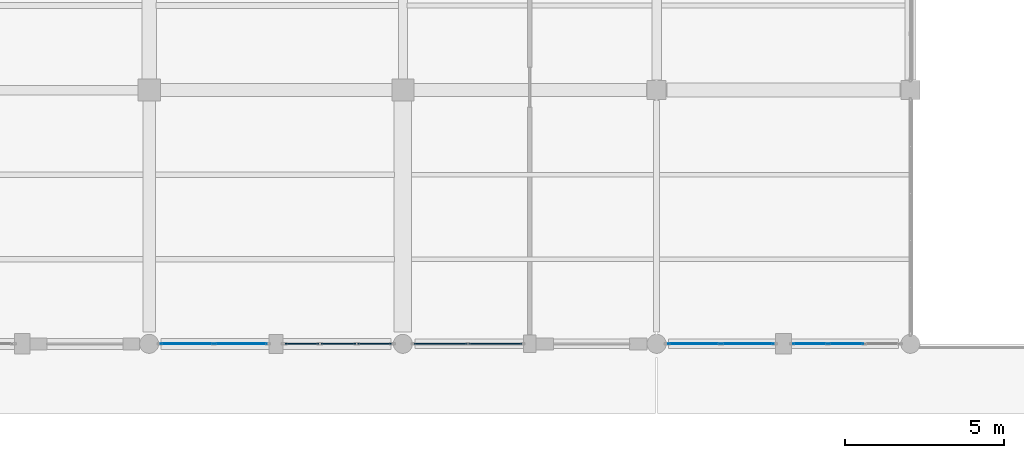
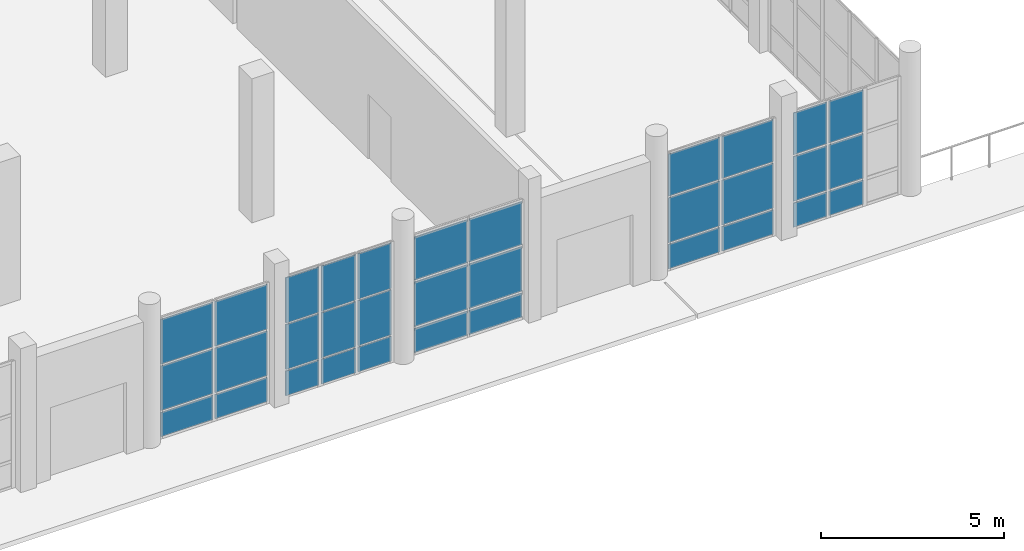
# One storey, part 104 of 156: 33 plates, 5 elements without a shape of their own.
"""IFC4 building model written with IfcOpenShell, lengths in metres."""

from ifc_helpers import new_model, si_unit, direction, frame, origin, origin_2d, place, context, subcontext, project, spatial, rectangle, extrude, material, layer, layer_set, type_object, element, aggregate, save


model = new_model("IFC4")

# Units and contexts
model_context = context("Model", 3, precision=1e-05, world=origin(), true_north=direction((0.0, 1.0)))
body_context = subcontext(model_context, "Body", "Model", "MODEL_VIEW")
ifc_project = project(units=[si_unit("LENGTHUNIT", "METRE"), si_unit("AREAUNIT", "SQUARE_METRE"), si_unit("VOLUMEUNIT", "CUBIC_METRE"), si_unit("PLANEANGLEUNIT", "RADIAN"), si_unit("MASSUNIT", "GRAM", prefix="KILO")], contexts=[model_context])

# Site, building, storey
site_placement = place(None, origin())
site = spatial("IfcSite", under=ifc_project, at=site_placement, CompositionType="ELEMENT")
building_placement = place(site_placement, origin())
building = spatial("IfcBuilding", under=site, at=building_placement, Name="Luwemba Playhouse", CompositionType="ELEMENT")
storey_placement = place(building_placement, origin())
storey = spatial("IfcBuildingStorey", under=building, at=storey_placement, Name="L00", CompositionType="ELEMENT", Elevation=0.0)

# Curtain wall, plates
ifc_material = material(Name="Solar-control double glazing", Category="glass")
curtain_wall_type_1 = type_object("IfcCurtainWallType", Name="CW-CW39", PredefinedType="USERDEFINED", material=ifc_material)
curtain_wall_1_placement = place(storey_placement, origin())
curtain_wall_1 = element("IfcCurtainWall", 1, at=curtain_wall_1_placement, inside=storey, type_object=curtain_wall_type_1, Name="L00 V5W unitised curtain wall 043", ObjectType="UNITISED GLAZING", PredefinedType="USERDEFINED")
ifc_layer_1 = layer(ifc_material, 0.02392578125)
ifc_layer_set_1 = layer_set([ifc_layer_1], Name="Solar-control double glazing")
plate_type_1 = type_object("IfcPlateType", Name="CWP-P1", PredefinedType="CURTAIN_PANEL", material=ifc_layer_set_1)
plate_1_placement = place(storey_placement, frame((57.97509765625, 3.0, 0.06005859375), z_axis=(0.0, 0.0, 1.0), x_axis=(-1.0, 0.0, 0.0)))
plate_1 = element("IfcPlate", 2, at=plate_1_placement, type_object=plate_type_1, Name="CW39 panel 2.1", PredefinedType="CURTAIN_PANEL", context=body_context, shape_type="SweptSolid", body=[
    extrude(rectangle(XDim=1.090087890625, YDim=0.02392578125, at=origin_2d()), origin(), (0.0, 0.0, 1.0), 0.81005859375),
])
plate_2_placement = place(storey_placement, frame((57.97509765625, 3.0, 0.93017578125), z_axis=(0.0, 0.0, 1.0), x_axis=(-1.0, 0.0, 0.0)))
plate_2 = element("IfcPlate", 3, at=plate_2_placement, type_object=plate_type_1, Name="CW39 panel 2.2", PredefinedType="CURTAIN_PANEL", context=body_context, shape_type="SweptSolid", body=[
    extrude(rectangle(XDim=1.090087890625, YDim=0.02392578125, at=origin_2d()), origin(), (0.0, 0.0, 1.0), 1.489990234375),
])
plate_3_placement = place(storey_placement, frame((57.97509765625, 3.0, 2.47998046875), z_axis=(0.0, 0.0, 1.0), x_axis=(-1.0, 0.0, 0.0)))
plate_3 = element("IfcPlate", 4, at=plate_3_placement, type_object=plate_type_1, Name="CW39 panel 2.3", PredefinedType="CURTAIN_PANEL", context=body_context, shape_type="SweptSolid", body=[
    extrude(rectangle(XDim=1.090087890625, YDim=0.02392578125, at=origin_2d()), origin(), (0.0, 0.0, 1.0), 1.39501953125),
])
plate_4_placement = place(storey_placement, frame((56.840087890625, 3.0, 0.06005859375), z_axis=(0.0, 0.0, 1.0), x_axis=(-1.0, 0.0, 0.0)))
plate_4 = element("IfcPlate", 5, at=plate_4_placement, type_object=plate_type_1, Name="CW39 panel 3.1", PredefinedType="CURTAIN_PANEL", context=body_context, shape_type="SweptSolid", body=[
    extrude(rectangle(XDim=1.06005859375, YDim=0.02392578125, at=origin_2d()), origin(), (0.0, 0.0, 1.0), 0.81005859375),
])
plate_5_placement = place(storey_placement, frame((56.840087890625, 3.0, 0.93017578125), z_axis=(0.0, 0.0, 1.0), x_axis=(-1.0, 0.0, 0.0)))
plate_5 = element("IfcPlate", 6, at=plate_5_placement, type_object=plate_type_1, Name="CW39 panel 3.2", PredefinedType="CURTAIN_PANEL", context=body_context, shape_type="SweptSolid", body=[
    extrude(rectangle(XDim=1.06005859375, YDim=0.02392578125, at=origin_2d()), origin(), (0.0, 0.0, 1.0), 1.489990234375),
])
plate_6_placement = place(storey_placement, frame((56.840087890625, 3.0, 2.47998046875), z_axis=(0.0, 0.0, 1.0), x_axis=(-1.0, 0.0, 0.0)))
plate_6 = element("IfcPlate", 7, at=plate_6_placement, type_object=plate_type_1, Name="CW39 panel 3.3", PredefinedType="CURTAIN_PANEL", context=body_context, shape_type="SweptSolid", body=[
    extrude(rectangle(XDim=1.06005859375, YDim=0.02392578125, at=origin_2d()), origin(), (0.0, 0.0, 1.0), 1.39501953125),
])
aggregate(curtain_wall_1, [plate_1, plate_2, plate_3, plate_4, plate_5, plate_6])

curtain_wall_type_2 = type_object("IfcCurtainWallType", Name="CW-CW41", PredefinedType="USERDEFINED", material=ifc_material)
curtain_wall_2_placement = place(storey_placement, origin())
curtain_wall_2 = element("IfcCurtainWall", 8, at=curtain_wall_2_placement, inside=storey, type_object=curtain_wall_type_2, Name="L00 V5W unitised curtain wall 047", ObjectType="UNITISED GLAZING", PredefinedType="USERDEFINED")
plate_7_placement = place(storey_placement, frame((38.891357421875, 3.0, 0.06005859375), z_axis=(0.0, 0.0, 1.0), x_axis=(-1.0, 0.0, 0.0)))
plate_7 = element("IfcPlate", 9, at=plate_7_placement, type_object=plate_type_1, Name="CW41 panel 1.1", PredefinedType="CURTAIN_PANEL", context=body_context, shape_type="SweptSolid", body=[
    extrude(rectangle(XDim=1.6474609375, YDim=0.02392578125, at=origin_2d()), origin(), (0.0, 0.0, 1.0), 0.81005859375),
])
plate_8_placement = place(storey_placement, frame((38.891357421875, 3.0, 0.93017578125), z_axis=(0.0, 0.0, 1.0), x_axis=(-1.0, 0.0, 0.0)))
plate_8 = element("IfcPlate", 10, at=plate_8_placement, type_object=plate_type_1, Name="CW41 panel 1.2", PredefinedType="CURTAIN_PANEL", context=body_context, shape_type="SweptSolid", body=[
    extrude(rectangle(XDim=1.6474609375, YDim=0.02392578125, at=origin_2d()), origin(), (0.0, 0.0, 1.0), 1.489990234375),
])
plate_9_placement = place(storey_placement, frame((38.891357421875, 3.0, 2.47998046875), z_axis=(0.0, 0.0, 1.0), x_axis=(-1.0, 0.0, 0.0)))
plate_9 = element("IfcPlate", 11, at=plate_9_placement, type_object=plate_type_1, Name="CW41 panel 1.3", PredefinedType="CURTAIN_PANEL", context=body_context, shape_type="SweptSolid", body=[
    extrude(rectangle(XDim=1.6474609375, YDim=0.02392578125, at=origin_2d()), origin(), (0.0, 0.0, 1.0), 1.4951171875),
])
plate_10_placement = place(storey_placement, frame((37.183837890625, 3.0, 0.06005859375), z_axis=(0.0, 0.0, 1.0), x_axis=(-1.0, 0.0, 0.0)))
plate_10 = element("IfcPlate", 12, at=plate_10_placement, type_object=plate_type_1, Name="CW41 panel 2.1", PredefinedType="CURTAIN_PANEL", context=body_context, shape_type="SweptSolid", body=[
    extrude(rectangle(XDim=1.6474609375, YDim=0.02392578125, at=origin_2d()), origin(), (0.0, 0.0, 1.0), 0.81005859375),
])
plate_11_placement = place(storey_placement, frame((37.183837890625, 3.0, 0.93017578125), z_axis=(0.0, 0.0, 1.0), x_axis=(-1.0, 0.0, 0.0)))
plate_11 = element("IfcPlate", 13, at=plate_11_placement, type_object=plate_type_1, Name="CW41 panel 2.2", PredefinedType="CURTAIN_PANEL", context=body_context, shape_type="SweptSolid", body=[
    extrude(rectangle(XDim=1.6474609375, YDim=0.02392578125, at=origin_2d()), origin(), (0.0, 0.0, 1.0), 1.489990234375),
])
plate_12_placement = place(storey_placement, frame((37.183837890625, 3.0, 2.47998046875), z_axis=(0.0, 0.0, 1.0), x_axis=(-1.0, 0.0, 0.0)))
plate_12 = element("IfcPlate", 14, at=plate_12_placement, type_object=plate_type_1, Name="CW41 panel 2.3", PredefinedType="CURTAIN_PANEL", context=body_context, shape_type="SweptSolid", body=[
    extrude(rectangle(XDim=1.6474609375, YDim=0.02392578125, at=origin_2d()), origin(), (0.0, 0.0, 1.0), 1.4951171875),
])
aggregate(curtain_wall_2, [plate_7, plate_8, plate_9, plate_10, plate_11, plate_12])

curtain_wall_type_3 = type_object("IfcCurtainWallType", Name="CW-CW33", PredefinedType="USERDEFINED", material=ifc_material)
curtain_wall_3_placement = place(storey_placement, origin())
curtain_wall_3 = element("IfcCurtainWall", 15, at=curtain_wall_3_placement, inside=storey, type_object=curtain_wall_type_3, Name="L00 V5W unitised curtain wall 044", ObjectType="UNITISED GLAZING", PredefinedType="USERDEFINED")
ifc_layer_2 = layer(ifc_material, 0.028076171875)
ifc_layer_set_2 = layer_set([ifc_layer_2], Name="Solar-control double glazing")
plate_type_2 = type_object("IfcPlateType", Name="CWP-P2", PredefinedType="CURTAIN_PANEL", material=ifc_layer_set_2)
plate_13_placement = place(storey_placement, frame((54.871337890625, 3.0, 0.05517578125), z_axis=(0.0, 0.0, 1.0), x_axis=(-1.0, 0.0, 0.0)))
plate_13 = element("IfcPlate", 16, at=plate_13_placement, type_object=plate_type_2, Name="CW33 panel 1.1", PredefinedType="CURTAIN_PANEL", context=body_context, shape_type="SweptSolid", body=[
    extrude(rectangle(XDim=1.62744140625, YDim=0.028076171875, at=origin_2d()), origin(), (0.0, 0.0, 1.0), 0.8173828125),
])
plate_14_placement = place(storey_placement, frame((54.871337890625, 3.0, 0.927490234375), z_axis=(0.0, 0.0, 1.0), x_axis=(-1.0, 0.0, 0.0)))
plate_14 = element("IfcPlate", 17, at=plate_14_placement, type_object=plate_type_2, Name="CW33 panel 1.2", PredefinedType="CURTAIN_PANEL", context=body_context, shape_type="SweptSolid", body=[
    extrude(rectangle(XDim=1.62744140625, YDim=0.028076171875, at=origin_2d()), origin(), (0.0, 0.0, 1.0), 1.4951171875),
])
plate_15_placement = place(storey_placement, frame((54.871337890625, 3.0, 2.4775390625), z_axis=(0.0, 0.0, 1.0), x_axis=(-1.0, 0.0, 0.0)))
plate_15 = element("IfcPlate", 18, at=plate_15_placement, type_object=plate_type_2, Name="CW33 panel 1.3", PredefinedType="CURTAIN_PANEL", context=body_context, shape_type="SweptSolid", body=[
    extrude(rectangle(XDim=1.62744140625, YDim=0.028076171875, at=origin_2d()), origin(), (0.0, 0.0, 1.0), 1.402587890625),
])
plate_16_placement = place(storey_placement, frame((53.1787109375, 3.0, 0.05517578125), z_axis=(0.0, 0.0, 1.0), x_axis=(-1.0, 0.0, 0.0)))
plate_16 = element("IfcPlate", 19, at=plate_16_placement, type_object=plate_type_2, Name="CW33 panel 2.1", PredefinedType="CURTAIN_PANEL", context=body_context, shape_type="SweptSolid", body=[
    extrude(rectangle(XDim=1.62744140625, YDim=0.028076171875, at=origin_2d()), origin(), (0.0, 0.0, 1.0), 0.8173828125),
])
plate_17_placement = place(storey_placement, frame((53.1787109375, 3.0, 0.927490234375), z_axis=(0.0, 0.0, 1.0), x_axis=(-1.0, 0.0, 0.0)))
plate_17 = element("IfcPlate", 20, at=plate_17_placement, type_object=plate_type_2, Name="CW33 panel 2.2", PredefinedType="CURTAIN_PANEL", context=body_context, shape_type="SweptSolid", body=[
    extrude(rectangle(XDim=1.62744140625, YDim=0.028076171875, at=origin_2d()), origin(), (0.0, 0.0, 1.0), 1.4951171875),
])
plate_18_placement = place(storey_placement, frame((53.1787109375, 3.0, 2.4775390625), z_axis=(0.0, 0.0, 1.0), x_axis=(-1.0, 0.0, 0.0)))
plate_18 = element("IfcPlate", 21, at=plate_18_placement, type_object=plate_type_2, Name="CW33 panel 2.3", PredefinedType="CURTAIN_PANEL", context=body_context, shape_type="SweptSolid", body=[
    extrude(rectangle(XDim=1.62744140625, YDim=0.028076171875, at=origin_2d()), origin(), (0.0, 0.0, 1.0), 1.402587890625),
])
aggregate(curtain_wall_3, [plate_13, plate_14, plate_15, plate_16, plate_17, plate_18])

curtain_wall_type_4 = type_object("IfcCurtainWallType", Name="CW-CW40", PredefinedType="USERDEFINED", material=ifc_material)
curtain_wall_4_placement = place(storey_placement, origin())
curtain_wall_4 = element("IfcCurtainWall", 22, at=curtain_wall_4_placement, inside=storey, type_object=curtain_wall_type_4, Name="L00 V5W unitised curtain wall 045", ObjectType="UNITISED GLAZING", PredefinedType="USERDEFINED")
ifc_layer_3 = layer(ifc_material, 0.031982421875)
ifc_layer_set_3 = layer_set([ifc_layer_3], Name="Solar-control double glazing")
plate_type_3 = type_object("IfcPlateType", Name="CWP-P3", PredefinedType="CURTAIN_PANEL", material=ifc_layer_set_3)
plate_19_placement = place(storey_placement, frame((46.9111328125, 3.0, 0.06494140625), z_axis=(0.0, 0.0, 1.0), x_axis=(-1.0, 0.0, 0.0)))
plate_19 = element("IfcPlate", 23, at=plate_19_placement, type_object=plate_type_3, Name="CW40 panel 1.1", PredefinedType="CURTAIN_PANEL", context=body_context, shape_type="SweptSolid", body=[
    extrude(rectangle(XDim=1.66748046875, YDim=0.031982421875, at=origin_2d()), origin(), (0.0, 0.0, 1.0), 0.802490234375),
])
plate_20_placement = place(storey_placement, frame((46.9111328125, 3.0, 0.9326171875), z_axis=(0.0, 0.0, 1.0), x_axis=(-1.0, 0.0, 0.0)))
plate_20 = element("IfcPlate", 24, at=plate_20_placement, type_object=plate_type_3, Name="CW40 panel 1.2", PredefinedType="CURTAIN_PANEL", context=body_context, shape_type="SweptSolid", body=[
    extrude(rectangle(XDim=1.66748046875, YDim=0.031982421875, at=origin_2d()), origin(), (0.0, 0.0, 1.0), 1.485107421875),
])
plate_21_placement = place(storey_placement, frame((46.9111328125, 3.0, 2.482421875), z_axis=(0.0, 0.0, 1.0), x_axis=(-1.0, 0.0, 0.0)))
plate_21 = element("IfcPlate", 25, at=plate_21_placement, type_object=plate_type_3, Name="CW40 panel 1.3", PredefinedType="CURTAIN_PANEL", context=body_context, shape_type="SweptSolid", body=[
    extrude(rectangle(XDim=1.66748046875, YDim=0.031982421875, at=origin_2d()), origin(), (0.0, 0.0, 1.0), 1.4375),
])
plate_22_placement = place(storey_placement, frame((45.188720703125, 3.0, 0.06494140625), z_axis=(0.0, 0.0, 1.0), x_axis=(-1.0, 0.0, 0.0)))
plate_22 = element("IfcPlate", 26, at=plate_22_placement, type_object=plate_type_3, Name="CW40 panel 2.1", PredefinedType="CURTAIN_PANEL", context=body_context, shape_type="SweptSolid", body=[
    extrude(rectangle(XDim=1.66748046875, YDim=0.031982421875, at=origin_2d()), origin(), (0.0, 0.0, 1.0), 0.802490234375),
])
plate_23_placement = place(storey_placement, frame((45.188720703125, 3.0, 0.9326171875), z_axis=(0.0, 0.0, 1.0), x_axis=(-1.0, 0.0, 0.0)))
plate_23 = element("IfcPlate", 27, at=plate_23_placement, type_object=plate_type_3, Name="CW40 panel 2.2", PredefinedType="CURTAIN_PANEL", context=body_context, shape_type="SweptSolid", body=[
    extrude(rectangle(XDim=1.66748046875, YDim=0.031982421875, at=origin_2d()), origin(), (0.0, 0.0, 1.0), 1.485107421875),
])
plate_24_placement = place(storey_placement, frame((45.188720703125, 3.0, 2.482421875), z_axis=(0.0, 0.0, 1.0), x_axis=(-1.0, 0.0, 0.0)))
plate_24 = element("IfcPlate", 28, at=plate_24_placement, type_object=plate_type_3, Name="CW40 panel 2.3", PredefinedType="CURTAIN_PANEL", context=body_context, shape_type="SweptSolid", body=[
    extrude(rectangle(XDim=1.66748046875, YDim=0.031982421875, at=origin_2d()), origin(), (0.0, 0.0, 1.0), 1.4375),
])
aggregate(curtain_wall_4, [plate_19, plate_20, plate_21, plate_22, plate_23, plate_24])

curtain_wall_type_5 = type_object("IfcCurtainWallType", Name="CW-CW14", PredefinedType="USERDEFINED", material=ifc_material)
curtain_wall_5_placement = place(storey_placement, origin())
curtain_wall_5 = element("IfcCurtainWall", 29, at=curtain_wall_5_placement, inside=storey, type_object=curtain_wall_type_5, Name="L00 V5W unitised curtain wall 046", ObjectType="UNITISED GLAZING", PredefinedType="USERDEFINED")
ifc_layer_4 = layer(ifc_material, 0.035888671875)
ifc_layer_set_4 = layer_set([ifc_layer_4], Name="Solar-control double glazing")
plate_type_4 = type_object("IfcPlateType", Name="CWP-P4", PredefinedType="CURTAIN_PANEL", material=ifc_layer_set_4)
plate_25_placement = place(storey_placement, frame((43.103271484375, 3.0, 0.0498046875), z_axis=(0.0, 0.0, 1.0), x_axis=(-1.0, 0.0, 0.0)))
plate_25 = element("IfcPlate", 30, at=plate_25_placement, type_object=plate_type_4, Name="CW14 panel 1.1", PredefinedType="CURTAIN_PANEL", context=body_context, shape_type="SweptSolid", body=[
    extrude(rectangle(XDim=1.05322265625, YDim=0.035888671875, at=origin_2d()), origin(), (0.0, 0.0, 1.0), 0.824951171875),
])
plate_26_placement = place(storey_placement, frame((43.103271484375, 3.0, 0.925048828125), z_axis=(0.0, 0.0, 1.0), x_axis=(-1.0, 0.0, 0.0)))
plate_26 = element("IfcPlate", 31, at=plate_26_placement, type_object=plate_type_4, Name="CW14 panel 1.2", PredefinedType="CURTAIN_PANEL", context=body_context, shape_type="SweptSolid", body=[
    extrude(rectangle(XDim=1.05322265625, YDim=0.035888671875, at=origin_2d()), origin(), (0.0, 0.0, 1.0), 1.5),
])
plate_27_placement = place(storey_placement, frame((43.103271484375, 3.0, 2.47509765625), z_axis=(0.0, 0.0, 1.0), x_axis=(-1.0, 0.0, 0.0)))
plate_27 = element("IfcPlate", 32, at=plate_27_placement, type_object=plate_type_4, Name="CW14 panel 1.3", PredefinedType="CURTAIN_PANEL", context=body_context, shape_type="SweptSolid", body=[
    extrude(rectangle(XDim=1.05322265625, YDim=0.035888671875, at=origin_2d()), origin(), (0.0, 0.0, 1.0), 1.510009765625),
])
plate_28_placement = place(storey_placement, frame((41.96240234375, 3.0, 0.0498046875), z_axis=(0.0, 0.0, 1.0), x_axis=(-1.0, 0.0, 0.0)))
plate_28 = element("IfcPlate", 33, at=plate_28_placement, type_object=plate_type_4, Name="CW14 panel 2.1", PredefinedType="CURTAIN_PANEL", context=body_context, shape_type="SweptSolid", body=[
    extrude(rectangle(XDim=1.08837890625, YDim=0.035888671875, at=origin_2d()), origin(), (0.0, 0.0, 1.0), 0.824951171875),
])
plate_29_placement = place(storey_placement, frame((41.96240234375, 3.0, 0.925048828125), z_axis=(0.0, 0.0, 1.0), x_axis=(-1.0, 0.0, 0.0)))
plate_29 = element("IfcPlate", 34, at=plate_29_placement, type_object=plate_type_4, Name="CW14 panel 2.2", PredefinedType="CURTAIN_PANEL", context=body_context, shape_type="SweptSolid", body=[
    extrude(rectangle(XDim=1.08837890625, YDim=0.035888671875, at=origin_2d()), origin(), (0.0, 0.0, 1.0), 1.5),
])
plate_30_placement = place(storey_placement, frame((41.96240234375, 3.0, 2.47509765625), z_axis=(0.0, 0.0, 1.0), x_axis=(-1.0, 0.0, 0.0)))
plate_30 = element("IfcPlate", 35, at=plate_30_placement, type_object=plate_type_4, Name="CW14 panel 2.3", PredefinedType="CURTAIN_PANEL", context=body_context, shape_type="SweptSolid", body=[
    extrude(rectangle(XDim=1.08837890625, YDim=0.035888671875, at=origin_2d()), origin(), (0.0, 0.0, 1.0), 1.510009765625),
])
plate_31_placement = place(storey_placement, frame((40.82177734375, 3.0, 0.0498046875), z_axis=(0.0, 0.0, 1.0), x_axis=(-1.0, 0.0, 0.0)))
plate_31 = element("IfcPlate", 36, at=plate_31_placement, type_object=plate_type_4, Name="CW14 panel 3.1", PredefinedType="CURTAIN_PANEL", context=body_context, shape_type="SweptSolid", body=[
    extrude(rectangle(XDim=1.05322265625, YDim=0.035888671875, at=origin_2d()), origin(), (0.0, 0.0, 1.0), 0.824951171875),
])
plate_32_placement = place(storey_placement, frame((40.82177734375, 3.0, 0.925048828125), z_axis=(0.0, 0.0, 1.0), x_axis=(-1.0, 0.0, 0.0)))
plate_32 = element("IfcPlate", 37, at=plate_32_placement, type_object=plate_type_4, Name="CW14 panel 3.2", PredefinedType="CURTAIN_PANEL", context=body_context, shape_type="SweptSolid", body=[
    extrude(rectangle(XDim=1.05322265625, YDim=0.035888671875, at=origin_2d()), origin(), (0.0, 0.0, 1.0), 1.5),
])
plate_33_placement = place(storey_placement, frame((40.82177734375, 3.0, 2.47509765625), z_axis=(0.0, 0.0, 1.0), x_axis=(-1.0, 0.0, 0.0)))
plate_33 = element("IfcPlate", 38, at=plate_33_placement, type_object=plate_type_4, Name="CW14 panel 3.3", PredefinedType="CURTAIN_PANEL", context=body_context, shape_type="SweptSolid", body=[
    extrude(rectangle(XDim=1.05322265625, YDim=0.035888671875, at=origin_2d()), origin(), (0.0, 0.0, 1.0), 1.510009765625),
])
aggregate(curtain_wall_5, [plate_25, plate_26, plate_27, plate_28, plate_29, plate_30, plate_31, plate_32, plate_33])

save(model, "model.ifc")
